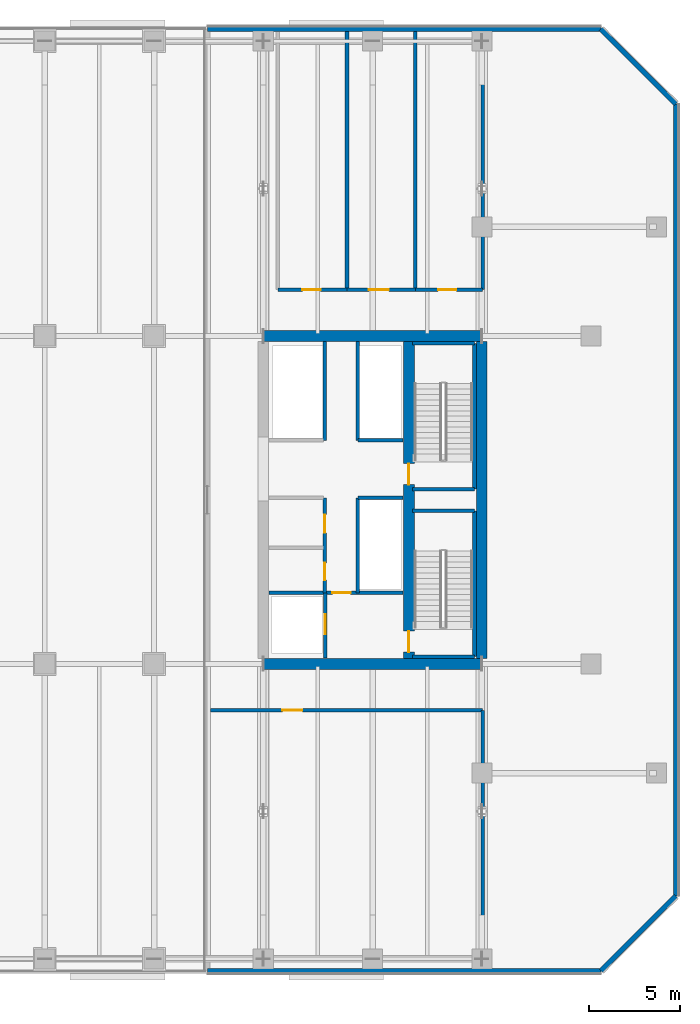
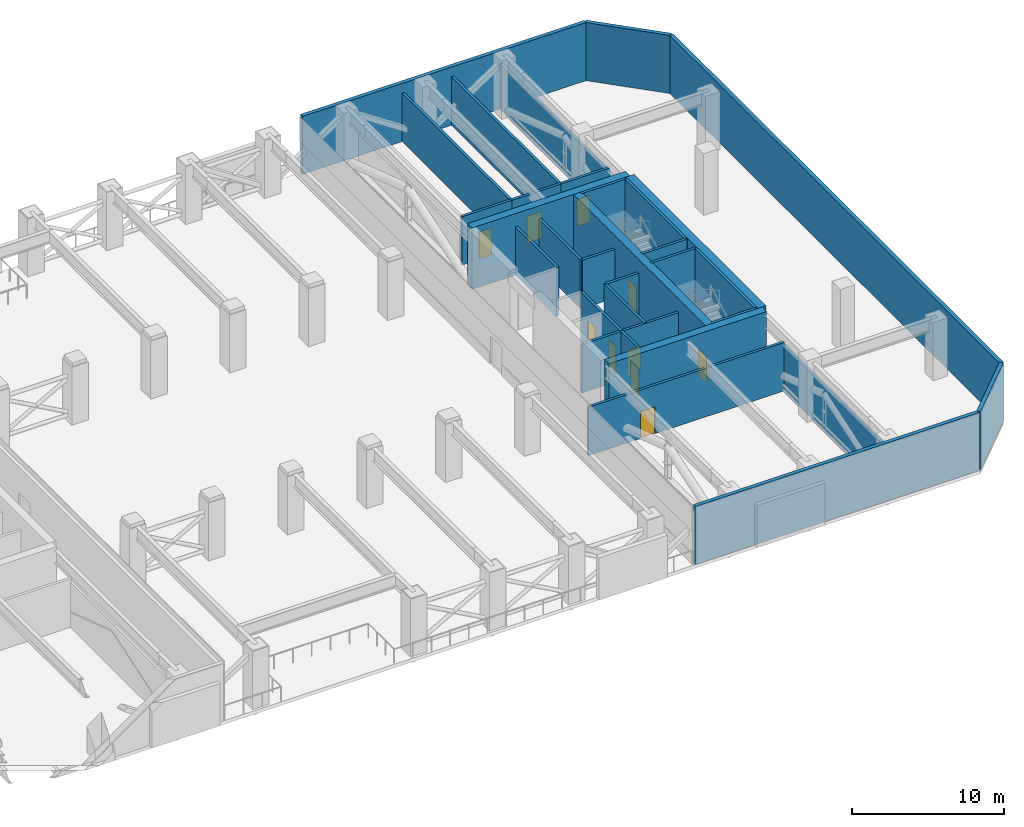
# One storey, part 12 of 22: 31 walls, 10 doors, 10 openings.
"""IFC4 building model written with IfcOpenShell, lengths in metres."""

from ifc_helpers import new_model, si_unit, direction, frame, frame_2d, origin, place, context, subcontext, project, spatial, rectangle, extrude, material, layer, layer_set, type_object, element, fill, save


model = new_model("IFC4")

# Units and contexts
model_context = context("Model", 3, precision=1e-05, world=origin(), true_north=direction((0.0, 1.0)))
body_context = subcontext(model_context, "Body", "Model", "MODEL_VIEW")
ifc_project = project(units=[si_unit("LENGTHUNIT", "METRE"), si_unit("AREAUNIT", "SQUARE_METRE"), si_unit("VOLUMEUNIT", "CUBIC_METRE"), si_unit("PLANEANGLEUNIT", "RADIAN"), si_unit("MASSUNIT", "GRAM", prefix="KILO")], contexts=[model_context])

# Site, building, storey
site_placement = place(None, origin())
site = spatial("IfcSite", under=ifc_project, at=site_placement, CompositionType="ELEMENT")
building_placement = place(site_placement, origin())
building = spatial("IfcBuilding", under=site, at=building_placement, Name="Tanjung Sevakor Pilgrim Tower", CompositionType="ELEMENT")
storey_placement = place(building_placement, frame((0.0, 0.0, 73.260009765625)))
storey = spatial("IfcBuildingStorey", under=building, at=storey_placement, Name="L20", CompositionType="ELEMENT", Elevation=73.260009765625)

# Walls
ifc_material_1 = material(Name="Concrete C60/75", Category="concrete")
ifc_layer_1 = layer(ifc_material_1, 0.60009765625)
ifc_layer_set_1 = layer_set([ifc_layer_1], Name="WALL-CW-600")
wall_type_1 = type_object("IfcWallType", Name="WALL-CW-600", PredefinedType="SHEAR", material=ifc_layer_set_1)
for number, where, z_axis, x_axis, name in (
    (1, (78.0, 24.60009765625, 0.0), (0.0, 0.0, 1.0), (1.0, 0.0, 0.0), "L20 E Core South Shear Wall"),
    (2, (90.0, 42.60009765625, 0.0), (0.0, 0.0, 1.0), (-1.0, 0.0, 0.0), "L20 E Core North Shear Wall"),
):
    element("IfcWall", number, at=place(storey_placement, frame(where, z_axis=z_axis, x_axis=x_axis)), inside=storey, type_object=wall_type_1, Name=name, PredefinedType="SHEAR", context=body_context, shape_type="SweptSolid", body=[
        extrude(rectangle(XDim=12.0, YDim=0.60009765625, at=frame_2d((6.0, 0.0))), origin(), (0.0, 0.0, 1.0), 4.949951171875),
    ])
wall_1_placement = place(storey_placement, frame((90.0, 24.89990234375, 0.0), z_axis=(0.0, 0.0, 1.0), x_axis=(0.0, 1.0, 0.0)))
element("IfcWall", 3, at=wall_1_placement, inside=storey, type_object=wall_type_1, Name="L20 E Core Outer Shear Wall", PredefinedType="SHEAR", context=body_context, shape_type="SweptSolid", body=[
    extrude(rectangle(XDim=17.400146484375, YDim=0.60009765625, at=frame_2d((8.7001953125, 0.0))), origin(), (0.0, 0.0, 1.0), 4.949951171875),
])

# Wall, openings, doors
wall_2_placement = place(storey_placement, frame((86.0, 24.89990234375, 0.0), z_axis=(0.0, 0.0, 1.0), x_axis=(0.0, 1.0, 0.0)))
wall_2 = element("IfcWall", 4, at=wall_2_placement, inside=storey, type_object=wall_type_1, Name="L20 E Core Stair Spine Wall", PredefinedType="SHEAR", context=body_context, shape_type="SweptSolid", body=[
    extrude(rectangle(XDim=17.400146484375, YDim=0.60009765625, at=frame_2d((8.7001953125, 0.0))), origin(), (0.0, 0.0, 1.0), 4.949951171875),
])
opening_1_placement = place(wall_2_placement, frame((0.35009765625, 0.0, 0.0)))
opening_1 = element("IfcOpeningElement", 5, at=opening_1_placement, cuts=wall_2, Name="Opening ID-ST1", PredefinedType="OPENING", context=body_context, shape_type="SweptSolid", body=[
    extrude(rectangle(XDim=1.14990234375, YDim=2.14990234375, at=frame_2d((0.574951171875, 1.074951171875))), frame((0.0, 0.31005859375, 0.0), z_axis=(0.0, -1.0, 0.0), x_axis=(1.0, 0.0, 0.0)), (0.0, 0.0, 1.0), 0.6201171875),
])
opening_2_placement = place(wall_2_placement, frame((9.550048828125, 0.0, 0.0)))
opening_2 = element("IfcOpeningElement", 6, at=opening_2_placement, cuts=wall_2, Name="Opening ID-ST1", PredefinedType="OPENING", context=body_context, shape_type="SweptSolid", body=[
    extrude(rectangle(XDim=1.14990234375, YDim=2.14990234375, at=frame_2d((0.574951171875, 1.074951171875))), frame((0.0, 0.31005859375, 0.0), z_axis=(0.0, -1.0, 0.0), x_axis=(1.0, 0.0, 0.0)), (0.0, 0.0, 1.0), 0.6201171875),
])
ifc_material_2 = material(Name="Fire-Rated Steel S355J2", Category="steel")
door_type_1 = type_object("IfcDoorType", Name="DT-FIRE-1150", OperationType="NOTDEFINED", PredefinedType="DOOR", material=ifc_material_2)
door_1_placement = place(opening_1_placement, origin())
door_1 = element("IfcDoor", 7, at=door_1_placement, inside=storey, type_object=door_type_1, Name="L20 TS-E1 Stair Fire Door", OperationType="SINGLE_SWING_LEFT", OverallHeight=2.14990234375, OverallWidth=1.14990234375, PredefinedType="DOOR", context=body_context, shape_type="SweptSolid", body=[
    extrude(rectangle(XDim=1.14990234375, YDim=2.14990234375, at=frame_2d((0.574951171875, 1.074951171875))), frame((0.0, 0.02490234375, 0.0), z_axis=(0.0, -1.0, 0.0), x_axis=(1.0, 0.0, 0.0)), (0.0, 0.0, 1.0), 0.050048828125),
])
fill(opening_1, door_1)
door_2_placement = place(opening_2_placement, origin())
door_2 = element("IfcDoor", 8, at=door_2_placement, inside=storey, type_object=door_type_1, Name="L20 TS-E2 Stair Fire Door", OperationType="SINGLE_SWING_RIGHT", OverallHeight=2.14990234375, OverallWidth=1.14990234375, PredefinedType="DOOR", context=body_context, shape_type="SweptSolid", body=[
    extrude(rectangle(XDim=1.14990234375, YDim=2.14990234375, at=frame_2d((0.574951171875, 1.074951171875))), frame((0.0, 0.02490234375, 0.0), z_axis=(0.0, -1.0, 0.0), x_axis=(1.0, 0.0, 0.0)), (0.0, 0.0, 1.0), 0.050048828125),
])
fill(opening_2, door_2)

# Walls
ifc_material_3 = material(Name="Precast concrete C45/55", Category="concrete")
ifc_layer_2 = layer(ifc_material_3, 0.280029296875)
ifc_layer_set_2 = layer_set([ifc_layer_2], Name="WT-EW-STN2")
wall_type_2 = type_object("IfcWallType", Name="WT-EW-STN2", PredefinedType="SOLIDWALL", material=ifc_layer_set_2)
wall_3_placement = place(storey_placement, frame((74.93994140625, 7.739990234375, 0.0), z_axis=(0.0, 0.0, 1.0), x_axis=(1.0, 0.0, 0.0)))
element("IfcWall", 9, at=wall_3_placement, inside=storey, type_object=wall_type_2, Name="L20 East Refuge Wing Wall 1", PredefinedType="SOLIDWALL", context=body_context, shape_type="SweptSolid", body=[
    extrude(rectangle(XDim=21.60205078125, YDim=0.280029296875, at=frame_2d((10.801025390625, 0.0))), origin(), (0.0, 0.0, 1.0), 4.669921875),
])
wall_4_placement = place(storey_placement, frame((96.5419921875, 7.739990234375, 0.0), z_axis=(0.0, 0.0, 1.0), x_axis=(0.707106781187, 0.707106781187, 0.0)))
element("IfcWall", 10, at=wall_4_placement, inside=storey, type_object=wall_type_2, Name="L20 East Refuge Wing Wall 2", PredefinedType="SOLIDWALL", context=body_context, shape_type="SweptSolid", body=[
    extrude(rectangle(XDim=5.82373046875, YDim=0.280029296875, at=frame_2d((2.911865234375, 0.0))), origin(), (0.0, 0.0, 1.0), 4.669921875),
])
wall_5_placement = place(storey_placement, frame((100.659912109375, 11.85791015625, 0.0), z_axis=(0.0, 0.0, 1.0), x_axis=(0.0, 1.0, 0.0)))
element("IfcWall", 11, at=wall_5_placement, inside=storey, type_object=wall_type_2, Name="L20 East Refuge Wing Wall 3", PredefinedType="SOLIDWALL", context=body_context, shape_type="SweptSolid", body=[
    extrude(rectangle(XDim=43.484130859375, YDim=0.280029296875, at=frame_2d((21.7421875, 0.0))), origin(), (0.0, 0.0, 1.0), 4.669921875),
])
wall_6_placement = place(storey_placement, frame((100.659912109375, 55.342041015625, 0.0), z_axis=(0.0, 0.0, 1.0), x_axis=(-0.707106781187, 0.707106781187, 0.0)))
element("IfcWall", 12, at=wall_6_placement, inside=storey, type_object=wall_type_2, Name="L20 East Refuge Wing Wall 4", PredefinedType="SOLIDWALL", context=body_context, shape_type="SweptSolid", body=[
    extrude(rectangle(XDim=5.82373046875, YDim=0.280029296875, at=frame_2d((2.911865234375, 0.0))), origin(), (0.0, 0.0, 1.0), 4.669921875),
])
wall_7_placement = place(storey_placement, frame((96.5419921875, 59.4599609375, 0.0), z_axis=(0.0, 0.0, 1.0), x_axis=(-1.0, 0.0, 0.0)))
element("IfcWall", 13, at=wall_7_placement, inside=storey, type_object=wall_type_2, Name="L20 East Refuge Wing Wall 5", PredefinedType="SOLIDWALL", context=body_context, shape_type="SweptSolid", body=[
    extrude(rectangle(XDim=21.60205078125, YDim=0.280029296875, at=frame_2d((10.801025390625, 0.0))), origin(), (0.0, 0.0, 1.0), 4.669921875),
])
ifc_material_4 = material(Name="Concrete C40/50", Category="concrete")
ifc_layer_3 = layer(ifc_material_4, 0.199951171875)
ifc_layer_set_3 = layer_set([ifc_layer_3], Name="WT-FIRE-200")
wall_type_3 = type_object("IfcWallType", Name="WT-FIRE-200", PredefinedType="SOLIDWALL", material=ifc_layer_set_3)
wall_8_placement = place(storey_placement, frame((86.199951171875, 25.0, 0.0), z_axis=(0.0, 0.0, 1.0), x_axis=(1.0, 0.0, 0.0)))
element("IfcWall", 14, at=wall_8_placement, inside=storey, type_object=wall_type_3, Name="L20 TS-E1 Shaft Wall 1", PredefinedType="SOLIDWALL", context=body_context, shape_type="SweptSolid", body=[
    extrude(rectangle(XDim=3.400146484375, YDim=0.199951171875, at=frame_2d((1.7001953125, 0.0))), origin(), (0.0, 0.0, 1.0), 4.949951171875),
])
wall_9_placement = place(storey_placement, frame((89.60009765625, 25.0, 0.0), z_axis=(0.0, 0.0, 1.0), x_axis=(0.0, 1.0, 0.0)))
element("IfcWall", 15, at=wall_9_placement, inside=storey, type_object=wall_type_3, Name="L20 TS-E1 Shaft Wall 2", PredefinedType="SOLIDWALL", context=body_context, shape_type="SweptSolid", body=[
    extrude(rectangle(XDim=8.0, YDim=0.199951171875, at=frame_2d((4.0, 0.0))), origin(), (0.0, 0.0, 1.0), 4.949951171875),
])
for number, where, z_axis, x_axis, name in (
    (16, (89.60009765625, 33.0, 0.0), (0.0, 0.0, 1.0), (-1.0, 0.0, 0.0), "L20 TS-E1 Shaft Wall 3"),
    (17, (86.199951171875, 34.199951171875, 0.0), (0.0, 0.0, 1.0), (1.0, 0.0, 0.0), "L20 TS-E2 Shaft Wall 1"),
):
    element("IfcWall", number, at=place(storey_placement, frame(where, z_axis=z_axis, x_axis=x_axis)), inside=storey, type_object=wall_type_3, Name=name, PredefinedType="SOLIDWALL", context=body_context, shape_type="SweptSolid", body=[
        extrude(rectangle(XDim=3.400146484375, YDim=0.199951171875, at=frame_2d((1.7001953125, 0.0))), origin(), (0.0, 0.0, 1.0), 4.949951171875),
    ])
wall_10_placement = place(storey_placement, frame((89.60009765625, 34.199951171875, 0.0), z_axis=(0.0, 0.0, 1.0), x_axis=(0.0, 1.0, 0.0)))
element("IfcWall", 18, at=wall_10_placement, inside=storey, type_object=wall_type_3, Name="L20 TS-E2 Shaft Wall 2", PredefinedType="SOLIDWALL", context=body_context, shape_type="SweptSolid", body=[
    extrude(rectangle(XDim=8.0, YDim=0.199951171875, at=frame_2d((4.0, 0.0))), origin(), (0.0, 0.0, 1.0), 4.949951171875),
])
wall_11_placement = place(storey_placement, frame((89.60009765625, 42.199951171875, 0.0), z_axis=(0.0, 0.0, 1.0), x_axis=(-1.0, 0.0, 0.0)))
element("IfcWall", 19, at=wall_11_placement, inside=storey, type_object=wall_type_3, Name="L20 TS-E2 Shaft Wall 3", PredefinedType="SOLIDWALL", context=body_context, shape_type="SweptSolid", body=[
    extrude(rectangle(XDim=3.400146484375, YDim=0.199951171875, at=frame_2d((1.7001953125, 0.0))), origin(), (0.0, 0.0, 1.0), 4.949951171875),
])

# Wall, opening, door
ifc_material_5 = material(Name="Concrete C40/50", Category="concrete")
ifc_layer_4 = layer(ifc_material_5, 0.199951171875)
ifc_layer_set_4 = layer_set([ifc_layer_4], Name="WT-FPRT-200")
wall_type_4 = type_object("IfcWallType", Name="WT-FPRT-200", PredefinedType="SOLIDWALL", material=ifc_layer_set_4)
wall_12_placement = place(storey_placement, frame((81.39990234375, 24.919921875, 0.0), z_axis=(0.0, 0.0, 1.0), x_axis=(0.0, 1.0, 0.0)))
wall_12 = element("IfcWall", 20, at=wall_12_placement, inside=storey, type_object=wall_type_4, Name="L20 Partition IW-L20-012", PredefinedType="SOLIDWALL", context=body_context, shape_type="SweptSolid", body=[
    extrude(rectangle(XDim=3.580078125, YDim=0.199951171875, at=frame_2d((1.7900390625, 0.0))), origin(), (0.0, 0.0, 1.0), 3.889892578125),
])
opening_3_placement = place(wall_12_placement, frame((1.300048828125, 0.0, 0.0)))
opening_3 = element("IfcOpeningElement", 21, at=opening_3_placement, cuts=wall_12, Name="Opening LD-1100", PredefinedType="OPENING", context=body_context, shape_type="SweptSolid", body=[
    extrude(rectangle(XDim=1.10009765625, YDim=2.199951171875, at=frame_2d((0.550048828125, 1.10009765625))), frame((0.0, 0.10986328125, 0.0), z_axis=(0.0, -1.0, 0.0), x_axis=(1.0, 0.0, 0.0)), (0.0, 0.0, 1.0), 0.219970703125),
])
ifc_material_6 = material(Name="Brushed Stainless Steel S355J2", Category="steel")
door_type_2 = type_object("IfcDoorType", Name="DT-LIFT-1100", OperationType="SLIDING_TO_LEFT", PredefinedType="DOOR", material=ifc_material_6)
door_3_placement = place(opening_3_placement, origin())
door_3 = element("IfcDoor", 22, at=door_3_placement, inside=storey, type_object=door_type_2, Name="LD-FL-E", OperationType="SLIDING_TO_LEFT", OverallHeight=2.199951171875, OverallWidth=1.10009765625, PredefinedType="DOOR", context=body_context, shape_type="SweptSolid", body=[
    extrude(rectangle(XDim=1.10009765625, YDim=2.199951171875, at=frame_2d((0.550048828125, 1.10009765625))), frame((0.0, 0.02490234375, 0.0), z_axis=(0.0, -1.0, 0.0), x_axis=(1.0, 0.0, 0.0)), (0.0, 0.0, 1.0), 0.050048828125),
])
fill(opening_3, door_3)

wall_13_placement = place(storey_placement, frame((78.320068359375, 28.5, 0.0), z_axis=(0.0, 0.0, 1.0), x_axis=(1.0, 0.0, 0.0)))
wall_13 = element("IfcWall", 23, at=wall_13_placement, inside=storey, type_object=wall_type_4, Name="L20 Partition IW-L20-013", PredefinedType="SOLIDWALL", context=body_context, shape_type="SweptSolid", body=[
    extrude(rectangle(XDim=7.35986328125, YDim=0.199951171875, at=frame_2d((3.679931640625, 0.0))), origin(), (0.0, 0.0, 1.0), 3.889892578125),
])
opening_4_placement = place(wall_13_placement, frame((3.47998046875, 0.0, 0.0)))
opening_4 = element("IfcOpeningElement", 24, at=opening_4_placement, cuts=wall_13, Name="Opening ID-FD1", PredefinedType="OPENING", context=body_context, shape_type="SweptSolid", body=[
    extrude(rectangle(XDim=1.0, YDim=2.14990234375, at=frame_2d((0.5, 1.074951171875))), frame((0.0, 0.10986328125, 0.0), z_axis=(0.0, -1.0, 0.0), x_axis=(1.0, 0.0, 0.0)), (0.0, 0.0, 1.0), 0.219970703125),
])
ifc_material_7 = material(Name="Fire-Rated Steel S355J2", Category="steel")
door_type_3 = type_object("IfcDoorType", Name="DT-FIRE-1000", OperationType="NOTDEFINED", PredefinedType="DOOR", material=ifc_material_7)
door_4_placement = place(opening_4_placement, origin())
door_4 = element("IfcDoor", 25, at=door_4_placement, inside=storey, type_object=door_type_3, Name="Fire Lobby Door E", OperationType="SINGLE_SWING_LEFT", OverallHeight=2.14990234375, OverallWidth=1.0, PredefinedType="DOOR", context=body_context, shape_type="SweptSolid", body=[
    extrude(rectangle(XDim=1.0, YDim=2.14990234375, at=frame_2d((0.5, 1.074951171875))), frame((0.0, 0.02490234375, 0.0), z_axis=(0.0, -1.0, 0.0), x_axis=(1.0, 0.0, 0.0)), (0.0, 0.0, 1.0), 0.050048828125),
])
fill(opening_4, door_4)

# Walls
wall_14_placement = place(storey_placement, frame((83.199951171875, 33.719970703125, 0.0), z_axis=(0.0, 0.0, 1.0), x_axis=(1.0, 0.0, 0.0)))
element("IfcWall", 26, at=wall_14_placement, inside=storey, type_object=wall_type_4, Name="L20 Partition IW-L20-014", PredefinedType="SOLIDWALL", context=body_context, shape_type="SweptSolid", body=[
    extrude(rectangle(XDim=2.47998046875, YDim=0.199951171875, at=frame_2d((1.239990234375, 0.0))), origin(), (0.0, 0.0, 1.0), 3.889892578125),
])
wall_15_placement = place(storey_placement, frame((83.179931640625, 28.5, 0.0), z_axis=(0.0, 0.0, 1.0), x_axis=(0.0, 1.0, 0.0)))
element("IfcWall", 27, at=wall_15_placement, inside=storey, type_object=wall_type_4, Name="L20 Partition IW-L20-015", PredefinedType="SOLIDWALL", context=body_context, shape_type="SweptSolid", body=[
    extrude(rectangle(XDim=5.219970703125, YDim=0.199951171875, at=frame_2d((2.60986328125, 0.0))), origin(), (0.0, 0.0, 1.0), 3.889892578125),
])

# Wall, openings, doors
wall_16_placement = place(storey_placement, frame((81.3798828125, 28.5, 0.0), z_axis=(0.0, 0.0, 1.0), x_axis=(0.0, 1.0, 0.0)))
wall_16 = element("IfcWall", 28, at=wall_16_placement, inside=storey, type_object=wall_type_4, Name="L20 Partition IW-L20-018", PredefinedType="SOLIDWALL", context=body_context, shape_type="SweptSolid", body=[
    extrude(rectangle(XDim=5.219970703125, YDim=0.199951171875, at=frame_2d((2.60986328125, 0.0))), origin(), (0.0, 0.0, 1.0), 3.889892578125),
])
opening_5_placement = place(wall_16_placement, frame((0.699951171875, 0.0, 0.0)))
opening_5 = element("IfcOpeningElement", 29, at=opening_5_placement, cuts=wall_16, Name="Opening ID-FD2", PredefinedType="OPENING", context=body_context, shape_type="SweptSolid", body=[
    extrude(rectangle(XDim=0.949951171875, YDim=2.14990234375, at=frame_2d((0.47509765625, 1.074951171875))), frame((0.0, 0.10986328125, 0.0), z_axis=(0.0, -1.0, 0.0), x_axis=(1.0, 0.0, 0.0)), (0.0, 0.0, 1.0), 0.219970703125),
])
opening_6_placement = place(wall_16_placement, frame((3.300048828125, 0.0, 0.0)))
opening_6 = element("IfcOpeningElement", 30, at=opening_6_placement, cuts=wall_16, Name="Opening ID-FD1", PredefinedType="OPENING", context=body_context, shape_type="SweptSolid", body=[
    extrude(rectangle(XDim=1.0, YDim=2.14990234375, at=frame_2d((0.5, 1.074951171875))), frame((0.0, 0.10986328125, 0.0), z_axis=(0.0, -1.0, 0.0), x_axis=(1.0, 0.0, 0.0)), (0.0, 0.0, 1.0), 0.219970703125),
])
door_5_placement = place(opening_6_placement, origin())
door_5 = element("IfcDoor", 31, at=door_5_placement, inside=storey, type_object=door_type_3, Name="L20 Core AHU Plant Door", OperationType="SINGLE_SWING_LEFT", OverallHeight=2.14990234375, OverallWidth=1.0, PredefinedType="DOOR", context=body_context, shape_type="SweptSolid", body=[
    extrude(rectangle(XDim=1.0, YDim=2.14990234375, at=frame_2d((0.5, 1.074951171875))), frame((0.0, 0.02490234375, 0.0), z_axis=(0.0, -1.0, 0.0), x_axis=(1.0, 0.0, 0.0)), (0.0, 0.0, 1.0), 0.050048828125),
])
fill(opening_6, door_5)
ifc_material_8 = material(Name="Fire-Rated Timber", Category="wood")
door_type_4 = type_object("IfcDoorType", Name="DT-FIRE-950", OperationType="NOTDEFINED", PredefinedType="DOOR", material=ifc_material_8)
door_6_placement = place(opening_5_placement, origin())
door_6 = element("IfcDoor", 32, at=door_6_placement, inside=storey, type_object=door_type_4, Name="L20 Core Accessible WC Door", OperationType="SINGLE_SWING_RIGHT", OverallHeight=2.14990234375, OverallWidth=0.949951171875, PredefinedType="DOOR", context=body_context, shape_type="SweptSolid", body=[
    extrude(rectangle(XDim=0.949951171875, YDim=2.14990234375, at=frame_2d((0.47509765625, 1.074951171875))), frame((0.0, 0.02490234375, 0.0), z_axis=(0.0, -1.0, 0.0), x_axis=(1.0, 0.0, 0.0)), (0.0, 0.0, 1.0), 0.050048828125),
])
fill(opening_5, door_6)

# Walls
wall_17_placement = place(storey_placement, frame((83.199951171875, 36.8798828125, 0.0), z_axis=(0.0, 0.0, 1.0), x_axis=(1.0, 0.0, 0.0)))
element("IfcWall", 33, at=wall_17_placement, inside=storey, type_object=wall_type_4, Name="L20 Partition IW-L20-019", PredefinedType="SOLIDWALL", context=body_context, shape_type="SweptSolid", body=[
    extrude(rectangle(XDim=2.47998046875, YDim=0.199951171875, at=frame_2d((1.239990234375, 0.0))), origin(), (0.0, 0.0, 1.0), 3.889892578125),
])
for number, where, z_axis, x_axis, name in (
    (34, (83.179931640625, 36.8798828125, 0.0), (0.0, 0.0, 1.0), (0.0, 1.0, 0.0), "L20 Partition IW-L20-020"),
    (35, (81.3798828125, 36.8798828125, 0.0), (0.0, 0.0, 1.0), (0.0, 1.0, 0.0), "L20 Partition IW-L20-022"),
):
    element("IfcWall", number, at=place(storey_placement, frame(where, z_axis=z_axis, x_axis=x_axis)), inside=storey, type_object=wall_type_4, Name=name, PredefinedType="SOLIDWALL", context=body_context, shape_type="SweptSolid", body=[
        extrude(rectangle(XDim=5.420166015625, YDim=0.199951171875, at=frame_2d((2.7099609375, 0.0))), origin(), (0.0, 0.0, 1.0), 3.889892578125),
    ])

# Wall, opening, door
wall_18_placement = place(storey_placement, frame((75.10009765625, 22.050048828125, 0.0), z_axis=(0.0, 0.0, 1.0), x_axis=(1.0, 0.0, 0.0)))
wall_18 = element("IfcWall", 36, at=wall_18_placement, inside=storey, type_object=wall_type_4, Name="L20 Partition IW-L20-031", PredefinedType="SOLIDWALL", context=body_context, shape_type="SweptSolid", body=[
    extrude(rectangle(XDim=14.949951171875, YDim=0.199951171875, at=frame_2d((7.47509765625, 0.0))), origin(), (0.0, 0.0, 1.0), 3.889892578125),
])
opening_7_placement = place(wall_18_placement, frame((3.949951171875, 0.0, 0.0)))
opening_7 = element("IfcOpeningElement", 37, at=opening_7_placement, cuts=wall_18, Name="Opening ID-FD0", PredefinedType="OPENING", context=body_context, shape_type="SweptSolid", body=[
    extrude(rectangle(XDim=1.10009765625, YDim=2.14990234375, at=frame_2d((0.550048828125, 1.074951171875))), frame((0.0, 0.10986328125, 0.0), z_axis=(0.0, -1.0, 0.0), x_axis=(1.0, 0.0, 0.0)), (0.0, 0.0, 1.0), 0.219970703125),
])
ifc_material_9 = material(Name="Fire-Rated Steel S355J2", Category="steel")
door_type_5 = type_object("IfcDoorType", Name="DT-FIRE-1100", OperationType="NOTDEFINED", PredefinedType="DOOR", material=ifc_material_9)
door_7_placement = place(opening_7_placement, origin())
door_7 = element("IfcDoor", 38, at=door_7_placement, inside=storey, type_object=door_type_5, Name="L20 Refuge East Lobby Door", OperationType="SINGLE_SWING_LEFT", OverallHeight=2.14990234375, OverallWidth=1.10009765625, PredefinedType="DOOR", context=body_context, shape_type="SweptSolid", body=[
    extrude(rectangle(XDim=1.10009765625, YDim=2.14990234375, at=frame_2d((0.550048828125, 1.074951171875))), frame((0.0, 0.02490234375, 0.0), z_axis=(0.0, -1.0, 0.0), x_axis=(1.0, 0.0, 0.0)), (0.0, 0.0, 1.0), 0.050048828125),
])
fill(opening_7, door_7)

# Wall
wall_19_placement = place(storey_placement, frame((90.050048828125, 7.8798828125, 0.0), z_axis=(0.0, 0.0, 1.0), x_axis=(0.0, 1.0, 0.0)))
element("IfcWall", 39, at=wall_19_placement, inside=storey, type_object=wall_type_4, Name="L20 Partition IW-L20-032", PredefinedType="SOLIDWALL", context=body_context, shape_type="SweptSolid", body=[
    extrude(rectangle(XDim=14.170166015625, YDim=0.199951171875, at=frame_2d((7.0849609375, 0.0))), origin(), (0.0, 0.0, 1.0), 3.64697265625),
])

# Wall, opening, door
wall_20_placement = place(storey_placement, frame((78.800048828125, 45.14990234375, 0.0), z_axis=(0.0, 0.0, 1.0), x_axis=(1.0, 0.0, 0.0)))
wall_20 = element("IfcWall", 40, at=wall_20_placement, inside=storey, type_object=wall_type_4, Name="L20 Partition IW-L20-033", PredefinedType="SOLIDWALL", context=body_context, shape_type="SweptSolid", body=[
    extrude(rectangle(XDim=3.800048828125, YDim=0.199951171875, at=frame_2d((1.89990234375, 0.0))), origin(), (0.0, 0.0, 1.0), 3.889892578125),
])
opening_8_placement = place(wall_20_placement, frame((1.35009765625, 0.0, 0.0)))
opening_8 = element("IfcOpeningElement", 41, at=opening_8_placement, cuts=wall_20, Name="Opening ID-FD1", PredefinedType="OPENING", context=body_context, shape_type="SweptSolid", body=[
    extrude(rectangle(XDim=1.0, YDim=2.14990234375, at=frame_2d((0.5, 1.074951171875))), frame((0.0, 0.10986328125, 0.0), z_axis=(0.0, -1.0, 0.0), x_axis=(1.0, 0.0, 0.0)), (0.0, 0.0, 1.0), 0.219970703125),
])
door_8_placement = place(opening_8_placement, origin())
door_8 = element("IfcDoor", 42, at=door_8_placement, inside=storey, type_object=door_type_3, Name="L20 Booster Pump Door", OperationType="SINGLE_SWING_RIGHT", OverallHeight=2.14990234375, OverallWidth=1.0, PredefinedType="DOOR", context=body_context, shape_type="SweptSolid", body=[
    extrude(rectangle(XDim=1.0, YDim=2.14990234375, at=frame_2d((0.5, 1.074951171875))), frame((0.0, 0.02490234375, 0.0), z_axis=(0.0, -1.0, 0.0), x_axis=(1.0, 0.0, 0.0)), (0.0, 0.0, 1.0), 0.050048828125),
])
fill(opening_8, door_8)

# Wall
wall_21_placement = place(storey_placement, frame((82.60009765625, 45.14990234375, 0.0), z_axis=(0.0, 0.0, 1.0), x_axis=(0.0, 1.0, 0.0)))
element("IfcWall", 43, at=wall_21_placement, inside=storey, type_object=wall_type_4, Name="L20 Partition IW-L20-035", PredefinedType="SOLIDWALL", context=body_context, shape_type="SweptSolid", body=[
    extrude(rectangle(XDim=14.170166015625, YDim=0.199951171875, at=frame_2d((7.0849609375, 0.0))), origin(), (0.0, 0.0, 1.0), 3.889892578125),
])

# Wall, opening, door
wall_22_placement = place(storey_placement, frame((82.60009765625, 45.14990234375, 0.0), z_axis=(0.0, 0.0, 1.0), x_axis=(1.0, 0.0, 0.0)))
wall_22 = element("IfcWall", 44, at=wall_22_placement, inside=storey, type_object=wall_type_4, Name="L20 Partition IW-L20-036", PredefinedType="SOLIDWALL", context=body_context, shape_type="SweptSolid", body=[
    extrude(rectangle(XDim=3.75, YDim=0.199951171875, at=frame_2d((1.875, 0.0))), origin(), (0.0, 0.0, 1.0), 3.889892578125),
])
opening_9_placement = place(wall_22_placement, frame((1.199951171875, 0.0, 0.0)))
opening_9 = element("IfcOpeningElement", 45, at=opening_9_placement, cuts=wall_22, Name="Opening ID-FD0", PredefinedType="OPENING", context=body_context, shape_type="SweptSolid", body=[
    extrude(rectangle(XDim=1.10009765625, YDim=2.14990234375, at=frame_2d((0.550048828125, 1.074951171875))), frame((0.0, 0.10986328125, 0.0), z_axis=(0.0, -1.0, 0.0), x_axis=(1.0, 0.0, 0.0)), (0.0, 0.0, 1.0), 0.219970703125),
])
door_9_placement = place(opening_9_placement, origin())
door_9 = element("IfcDoor", 46, at=door_9_placement, inside=storey, type_object=door_type_5, Name="L20 Chiller Plant Door", OperationType="SINGLE_SWING_LEFT", OverallHeight=2.14990234375, OverallWidth=1.10009765625, PredefinedType="DOOR", context=body_context, shape_type="SweptSolid", body=[
    extrude(rectangle(XDim=1.10009765625, YDim=2.14990234375, at=frame_2d((0.550048828125, 1.074951171875))), frame((0.0, 0.02490234375, 0.0), z_axis=(0.0, -1.0, 0.0), x_axis=(1.0, 0.0, 0.0)), (0.0, 0.0, 1.0), 0.050048828125),
])
fill(opening_9, door_9)

# Wall
wall_23_placement = place(storey_placement, frame((86.35009765625, 45.14990234375, 0.0), z_axis=(0.0, 0.0, 1.0), x_axis=(0.0, 1.0, 0.0)))
element("IfcWall", 47, at=wall_23_placement, inside=storey, type_object=wall_type_4, Name="L20 Partition IW-L20-037", PredefinedType="SOLIDWALL", context=body_context, shape_type="SweptSolid", body=[
    extrude(rectangle(XDim=14.170166015625, YDim=0.199951171875, at=frame_2d((7.0849609375, 0.0))), origin(), (0.0, 0.0, 1.0), 3.889892578125),
])

# Wall, opening, door
wall_24_placement = place(storey_placement, frame((86.35009765625, 45.14990234375, 0.0), z_axis=(0.0, 0.0, 1.0), x_axis=(1.0, 0.0, 0.0)))
wall_24 = element("IfcWall", 48, at=wall_24_placement, inside=storey, type_object=wall_type_4, Name="L20 Partition IW-L20-038", PredefinedType="SOLIDWALL", context=body_context, shape_type="SweptSolid", body=[
    extrude(rectangle(XDim=3.699951171875, YDim=0.199951171875, at=frame_2d((1.85009765625, 0.0))), origin(), (0.0, 0.0, 1.0), 3.889892578125),
])
opening_10_placement = place(wall_24_placement, frame((1.25, 0.0, 0.0)))
opening_10 = element("IfcOpeningElement", 49, at=opening_10_placement, cuts=wall_24, Name="Opening ID-FD1", PredefinedType="OPENING", context=body_context, shape_type="SweptSolid", body=[
    extrude(rectangle(XDim=1.0, YDim=2.14990234375, at=frame_2d((0.5, 1.074951171875))), frame((0.0, 0.10986328125, 0.0), z_axis=(0.0, -1.0, 0.0), x_axis=(1.0, 0.0, 0.0)), (0.0, 0.0, 1.0), 0.219970703125),
])
door_10_placement = place(opening_10_placement, origin())
door_10 = element("IfcDoor", 50, at=door_10_placement, inside=storey, type_object=door_type_3, Name="L20 East Mechanical Plant Door", OperationType="SINGLE_SWING_RIGHT", OverallHeight=2.14990234375, OverallWidth=1.0, PredefinedType="DOOR", context=body_context, shape_type="SweptSolid", body=[
    extrude(rectangle(XDim=1.0, YDim=2.14990234375, at=frame_2d((0.5, 1.074951171875))), frame((0.0, 0.02490234375, 0.0), z_axis=(0.0, -1.0, 0.0), x_axis=(1.0, 0.0, 0.0)), (0.0, 0.0, 1.0), 0.050048828125),
])
fill(opening_10, door_10)

# Wall
wall_25_placement = place(storey_placement, frame((90.050048828125, 45.14990234375, 0.0), z_axis=(0.0, 0.0, 1.0), x_axis=(0.0, 1.0, 0.0)))
element("IfcWall", 51, at=wall_25_placement, inside=storey, type_object=wall_type_4, Name="L20 Partition IW-L20-039", PredefinedType="SOLIDWALL", context=body_context, shape_type="SweptSolid", body=[
    extrude(rectangle(XDim=14.170166015625, YDim=0.199951171875, at=frame_2d((7.0849609375, 0.0))), origin(), (0.0, 0.0, 1.0), 3.64697265625),
])

save(model, "model.ifc")
